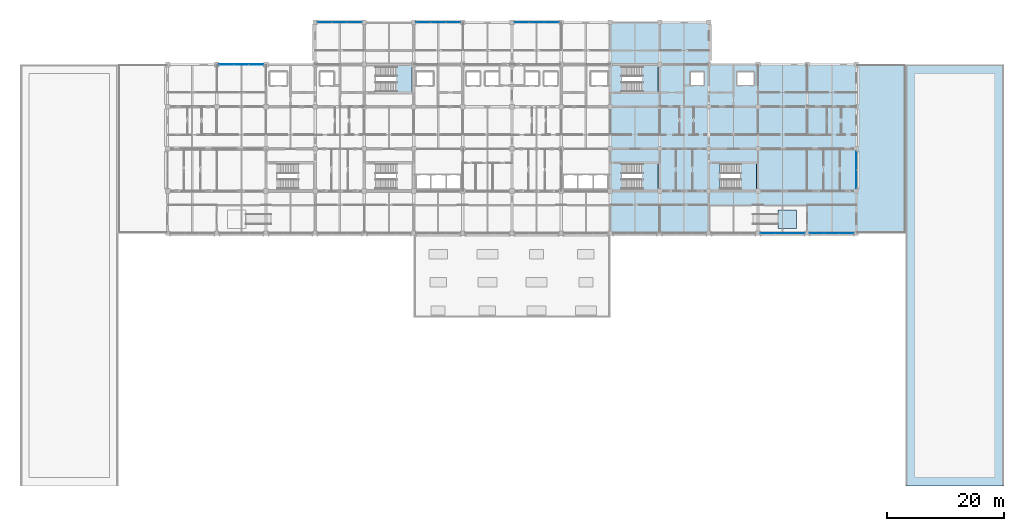
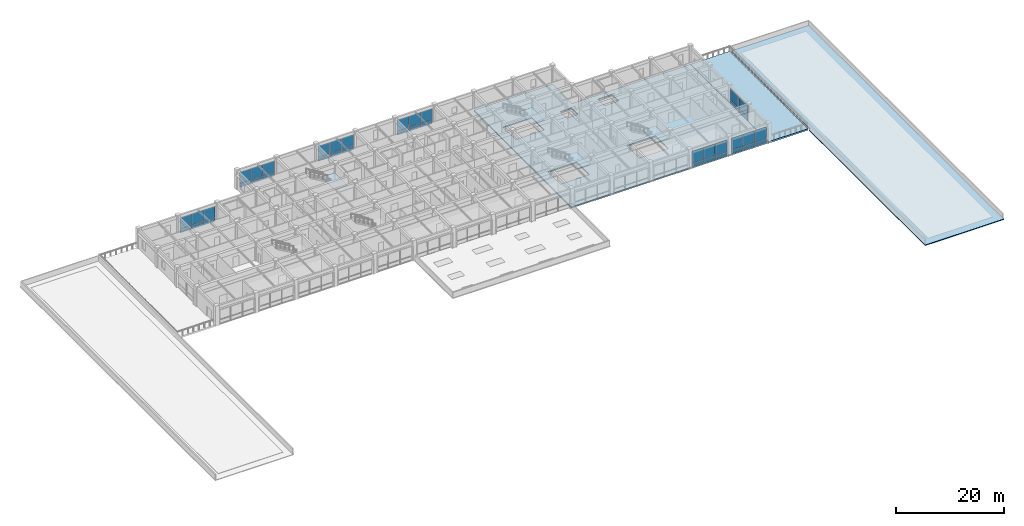
# One storey, part 16 of 40: 40 plates, 8 slabs, 11 elements without a shape of their own.
"""IFC4 building model written with IfcOpenShell, lengths in metres."""

from ifc_helpers import new_model, si_unit, direction, frame, origin, origin_2d, place, context, subcontext, project, spatial, polyline, rectangle, outline, extrude, material, layer, layer_set, type_object, element, aggregate, save


model = new_model("IFC4")

# Units and contexts
model_context = context("Model", 3, precision=1e-05, world=origin(), true_north=direction((0.0, 1.0)))
body_context = subcontext(model_context, "Body", "Model", "MODEL_VIEW")
ifc_project = project(units=[si_unit("LENGTHUNIT", "METRE"), si_unit("AREAUNIT", "SQUARE_METRE"), si_unit("VOLUMEUNIT", "CUBIC_METRE"), si_unit("PLANEANGLEUNIT", "RADIAN"), si_unit("MASSUNIT", "GRAM", prefix="KILO")], contexts=[model_context])

# Site, building, storey
site_placement = place(None, origin())
site = spatial("IfcSite", under=ifc_project, at=site_placement, CompositionType="ELEMENT")
building_placement = place(site_placement, origin())
building = spatial("IfcBuilding", under=site, at=building_placement, Name="Chengyuan Square Courthouse", CompositionType="ELEMENT")
storey_placement = place(building_placement, frame((0.0, 0.0, 21.60009765625)))
storey = spatial("IfcBuildingStorey", under=building, at=storey_placement, Name="L05", CompositionType="ELEMENT", Elevation=21.60009765625)

# Curtain wall, plates
ifc_material_1 = material(Name="Unitised Aluminium and Triple Low-E Glass", Category="aluminium")
ifc_layer_1 = layer(ifc_material_1, 0.159912109375)
ifc_layer_set_1 = layer_set([ifc_layer_1], Name="Unitised Aluminium and Triple Low-E Glass")
curtain_wall_type_1 = type_object("IfcCurtainWallType", Name="CW-13", PredefinedType="USERDEFINED", material=ifc_layer_set_1)
curtain_wall_1_placement = place(storey_placement, origin())
curtain_wall_1 = element("IfcCurtainWall", 1, at=curtain_wall_1_placement, inside=storey, type_object=curtain_wall_type_1, Name="Unitised Curtain Wall CW-L05-166", ObjectType="UNITISED CURTAIN WALL", PredefinedType="USERDEFINED")
ifc_material_2 = material(Name="Triple Low-E Insulating Glass", Category="glass")
ifc_layer_2 = layer(ifc_material_2, 0.02392578125)
ifc_layer_set_2 = layer_set([ifc_layer_2], Name="Triple Low-E Insulating Glass")
plate_type_1 = type_object("IfcPlateType", Name="CWP-01", PredefinedType="CURTAIN_PANEL", material=ifc_layer_set_2)
plate_1_placement = place(storey_placement, frame((35.28173828125, 108.0, 0.06005859375), z_axis=(0.0, 0.0, 1.0), x_axis=(1.0, 0.0, 0.0)))
plate_1 = element("IfcPlate", 2, at=plate_1_placement, type_object=plate_type_1, Name="CW-13 panel 1.1", PredefinedType="CURTAIN_PANEL", context=body_context, shape_type="SweptSolid", body=[
    extrude(rectangle(XDim=2.443359375, YDim=0.02392578125, at=origin_2d()), origin(), (0.0, 0.0, 1.0), 0.860107421875),
])
plate_2_placement = place(storey_placement, frame((35.28173828125, 108.0, 0.97998046875), z_axis=(0.0, 0.0, 1.0), x_axis=(1.0, 0.0, 0.0)))
plate_2 = element("IfcPlate", 3, at=plate_2_placement, type_object=plate_type_1, Name="CW-13 panel 1.2", PredefinedType="CURTAIN_PANEL", context=body_context, shape_type="SweptSolid", body=[
    extrude(rectangle(XDim=2.443359375, YDim=0.02392578125, at=origin_2d()), origin(), (0.0, 0.0, 1.0), 2.550048828125),
])
plate_3_placement = place(storey_placement, frame((37.800048828125, 108.0, 0.06005859375), z_axis=(0.0, 0.0, 1.0), x_axis=(1.0, 0.0, 0.0)))
plate_3 = element("IfcPlate", 4, at=plate_3_placement, type_object=plate_type_1, Name="CW-13 panel 2.1", PredefinedType="CURTAIN_PANEL", context=body_context, shape_type="SweptSolid", body=[
    extrude(rectangle(XDim=2.473388671875, YDim=0.02392578125, at=origin_2d()), origin(), (0.0, 0.0, 1.0), 0.860107421875),
])
plate_4_placement = place(storey_placement, frame((37.800048828125, 108.0, 0.97998046875), z_axis=(0.0, 0.0, 1.0), x_axis=(1.0, 0.0, 0.0)))
plate_4 = element("IfcPlate", 5, at=plate_4_placement, type_object=plate_type_1, Name="CW-13 panel 2.2", PredefinedType="CURTAIN_PANEL", context=body_context, shape_type="SweptSolid", body=[
    extrude(rectangle(XDim=2.473388671875, YDim=0.02392578125, at=origin_2d()), origin(), (0.0, 0.0, 1.0), 2.550048828125),
])
plate_5_placement = place(storey_placement, frame((40.318359375, 108.0, 0.06005859375), z_axis=(0.0, 0.0, 1.0), x_axis=(1.0, 0.0, 0.0)))
plate_5 = element("IfcPlate", 6, at=plate_5_placement, type_object=plate_type_1, Name="CW-13 panel 3.1", PredefinedType="CURTAIN_PANEL", context=body_context, shape_type="SweptSolid", body=[
    extrude(rectangle(XDim=2.443359375, YDim=0.02392578125, at=origin_2d()), origin(), (0.0, 0.0, 1.0), 0.860107421875),
])
plate_6_placement = place(storey_placement, frame((40.318359375, 108.0, 0.97998046875), z_axis=(0.0, 0.0, 1.0), x_axis=(1.0, 0.0, 0.0)))
plate_6 = element("IfcPlate", 7, at=plate_6_placement, type_object=plate_type_1, Name="CW-13 panel 3.2", PredefinedType="CURTAIN_PANEL", context=body_context, shape_type="SweptSolid", body=[
    extrude(rectangle(XDim=2.443359375, YDim=0.02392578125, at=origin_2d()), origin(), (0.0, 0.0, 1.0), 2.550048828125),
])
aggregate(curtain_wall_1, [plate_1, plate_2, plate_3, plate_4, plate_5, plate_6])

curtain_wall_2_placement = place(storey_placement, origin())
curtain_wall_2 = element("IfcCurtainWall", 8, at=curtain_wall_2_placement, inside=storey, type_object=curtain_wall_type_1, Name="Unitised Curtain Wall CW-L05-169", ObjectType="UNITISED CURTAIN WALL", PredefinedType="USERDEFINED")
plate_7_placement = place(storey_placement, frame((52.081787109375, 115.199951171875, 0.06005859375), z_axis=(0.0, 0.0, 1.0), x_axis=(1.0, 0.0, 0.0)))
plate_7 = element("IfcPlate", 9, at=plate_7_placement, type_object=plate_type_1, Name="CW-13 panel 1.1", PredefinedType="CURTAIN_PANEL", context=body_context, shape_type="SweptSolid", body=[
    extrude(rectangle(XDim=2.443359375, YDim=0.02392578125, at=origin_2d()), origin(), (0.0, 0.0, 1.0), 0.860107421875),
])
plate_8_placement = place(storey_placement, frame((52.081787109375, 115.199951171875, 0.97998046875), z_axis=(0.0, 0.0, 1.0), x_axis=(1.0, 0.0, 0.0)))
plate_8 = element("IfcPlate", 10, at=plate_8_placement, type_object=plate_type_1, Name="CW-13 panel 1.2", PredefinedType="CURTAIN_PANEL", context=body_context, shape_type="SweptSolid", body=[
    extrude(rectangle(XDim=2.443359375, YDim=0.02392578125, at=origin_2d()), origin(), (0.0, 0.0, 1.0), 2.550048828125),
])
plate_9_placement = place(storey_placement, frame((54.60009765625, 115.199951171875, 0.06005859375), z_axis=(0.0, 0.0, 1.0), x_axis=(1.0, 0.0, 0.0)))
plate_9 = element("IfcPlate", 11, at=plate_9_placement, type_object=plate_type_1, Name="CW-13 panel 2.1", PredefinedType="CURTAIN_PANEL", context=body_context, shape_type="SweptSolid", body=[
    extrude(rectangle(XDim=2.473388671875, YDim=0.02392578125, at=origin_2d()), origin(), (0.0, 0.0, 1.0), 0.860107421875),
])
plate_10_placement = place(storey_placement, frame((54.60009765625, 115.199951171875, 0.97998046875), z_axis=(0.0, 0.0, 1.0), x_axis=(1.0, 0.0, 0.0)))
plate_10 = element("IfcPlate", 12, at=plate_10_placement, type_object=plate_type_1, Name="CW-13 panel 2.2", PredefinedType="CURTAIN_PANEL", context=body_context, shape_type="SweptSolid", body=[
    extrude(rectangle(XDim=2.473388671875, YDim=0.02392578125, at=origin_2d()), origin(), (0.0, 0.0, 1.0), 2.550048828125),
])
plate_11_placement = place(storey_placement, frame((57.118408203125, 115.199951171875, 0.06005859375), z_axis=(0.0, 0.0, 1.0), x_axis=(1.0, 0.0, 0.0)))
plate_11 = element("IfcPlate", 13, at=plate_11_placement, type_object=plate_type_1, Name="CW-13 panel 3.1", PredefinedType="CURTAIN_PANEL", context=body_context, shape_type="SweptSolid", body=[
    extrude(rectangle(XDim=2.443359375, YDim=0.02392578125, at=origin_2d()), origin(), (0.0, 0.0, 1.0), 0.860107421875),
])
plate_12_placement = place(storey_placement, frame((57.118408203125, 115.199951171875, 0.97998046875), z_axis=(0.0, 0.0, 1.0), x_axis=(1.0, 0.0, 0.0)))
plate_12 = element("IfcPlate", 14, at=plate_12_placement, type_object=plate_type_1, Name="CW-13 panel 3.2", PredefinedType="CURTAIN_PANEL", context=body_context, shape_type="SweptSolid", body=[
    extrude(rectangle(XDim=2.443359375, YDim=0.02392578125, at=origin_2d()), origin(), (0.0, 0.0, 1.0), 2.550048828125),
])
aggregate(curtain_wall_2, [plate_7, plate_8, plate_9, plate_10, plate_11, plate_12])

curtain_wall_3_placement = place(storey_placement, origin())
curtain_wall_3 = element("IfcCurtainWall", 15, at=curtain_wall_3_placement, inside=storey, type_object=curtain_wall_type_1, Name="Unitised Curtain Wall CW-L05-172", ObjectType="UNITISED CURTAIN WALL", PredefinedType="USERDEFINED")
plate_13_placement = place(storey_placement, frame((68.881591796875, 115.199951171875, 0.06005859375), z_axis=(0.0, 0.0, 1.0), x_axis=(1.0, 0.0, 0.0)))
plate_13 = element("IfcPlate", 16, at=plate_13_placement, type_object=plate_type_1, Name="CW-13 panel 1.1", PredefinedType="CURTAIN_PANEL", context=body_context, shape_type="SweptSolid", body=[
    extrude(rectangle(XDim=2.443359375, YDim=0.02392578125, at=origin_2d()), origin(), (0.0, 0.0, 1.0), 0.860107421875),
])
plate_14_placement = place(storey_placement, frame((68.881591796875, 115.199951171875, 0.97998046875), z_axis=(0.0, 0.0, 1.0), x_axis=(1.0, 0.0, 0.0)))
plate_14 = element("IfcPlate", 17, at=plate_14_placement, type_object=plate_type_1, Name="CW-13 panel 1.2", PredefinedType="CURTAIN_PANEL", context=body_context, shape_type="SweptSolid", body=[
    extrude(rectangle(XDim=2.443359375, YDim=0.02392578125, at=origin_2d()), origin(), (0.0, 0.0, 1.0), 2.550048828125),
])
plate_15_placement = place(storey_placement, frame((71.39990234375, 115.199951171875, 0.06005859375), z_axis=(0.0, 0.0, 1.0), x_axis=(1.0, 0.0, 0.0)))
plate_15 = element("IfcPlate", 18, at=plate_15_placement, type_object=plate_type_1, Name="CW-13 panel 2.1", PredefinedType="CURTAIN_PANEL", context=body_context, shape_type="SweptSolid", body=[
    extrude(rectangle(XDim=2.473388671875, YDim=0.02392578125, at=origin_2d()), origin(), (0.0, 0.0, 1.0), 0.860107421875),
])
plate_16_placement = place(storey_placement, frame((71.39990234375, 115.199951171875, 0.97998046875), z_axis=(0.0, 0.0, 1.0), x_axis=(1.0, 0.0, 0.0)))
plate_16 = element("IfcPlate", 19, at=plate_16_placement, type_object=plate_type_1, Name="CW-13 panel 2.2", PredefinedType="CURTAIN_PANEL", context=body_context, shape_type="SweptSolid", body=[
    extrude(rectangle(XDim=2.473388671875, YDim=0.02392578125, at=origin_2d()), origin(), (0.0, 0.0, 1.0), 2.550048828125),
])
plate_17_placement = place(storey_placement, frame((73.918212890625, 115.199951171875, 0.06005859375), z_axis=(0.0, 0.0, 1.0), x_axis=(1.0, 0.0, 0.0)))
plate_17 = element("IfcPlate", 20, at=plate_17_placement, type_object=plate_type_1, Name="CW-13 panel 3.1", PredefinedType="CURTAIN_PANEL", context=body_context, shape_type="SweptSolid", body=[
    extrude(rectangle(XDim=2.443359375, YDim=0.02392578125, at=origin_2d()), origin(), (0.0, 0.0, 1.0), 0.860107421875),
])
plate_18_placement = place(storey_placement, frame((73.918212890625, 115.199951171875, 0.97998046875), z_axis=(0.0, 0.0, 1.0), x_axis=(1.0, 0.0, 0.0)))
plate_18 = element("IfcPlate", 21, at=plate_18_placement, type_object=plate_type_1, Name="CW-13 panel 3.2", PredefinedType="CURTAIN_PANEL", context=body_context, shape_type="SweptSolid", body=[
    extrude(rectangle(XDim=2.443359375, YDim=0.02392578125, at=origin_2d()), origin(), (0.0, 0.0, 1.0), 2.550048828125),
])
aggregate(curtain_wall_3, [plate_13, plate_14, plate_15, plate_16, plate_17, plate_18])

curtain_wall_4_placement = place(storey_placement, origin())
curtain_wall_4 = element("IfcCurtainWall", 22, at=curtain_wall_4_placement, inside=storey, type_object=curtain_wall_type_1, Name="Unitised Curtain Wall CW-L05-175", ObjectType="UNITISED CURTAIN WALL", PredefinedType="USERDEFINED")
plate_19_placement = place(storey_placement, frame((85.681640625, 115.199951171875, 0.06005859375), z_axis=(0.0, 0.0, 1.0), x_axis=(1.0, 0.0, 0.0)))
plate_19 = element("IfcPlate", 23, at=plate_19_placement, type_object=plate_type_1, Name="CW-13 panel 1.1", PredefinedType="CURTAIN_PANEL", context=body_context, shape_type="SweptSolid", body=[
    extrude(rectangle(XDim=2.443359375, YDim=0.02392578125, at=origin_2d()), origin(), (0.0, 0.0, 1.0), 0.860107421875),
])
plate_20_placement = place(storey_placement, frame((85.681640625, 115.199951171875, 0.97998046875), z_axis=(0.0, 0.0, 1.0), x_axis=(1.0, 0.0, 0.0)))
plate_20 = element("IfcPlate", 24, at=plate_20_placement, type_object=plate_type_1, Name="CW-13 panel 1.2", PredefinedType="CURTAIN_PANEL", context=body_context, shape_type="SweptSolid", body=[
    extrude(rectangle(XDim=2.443359375, YDim=0.02392578125, at=origin_2d()), origin(), (0.0, 0.0, 1.0), 2.550048828125),
])
plate_21_placement = place(storey_placement, frame((88.199951171875, 115.199951171875, 0.06005859375), z_axis=(0.0, 0.0, 1.0), x_axis=(1.0, 0.0, 0.0)))
plate_21 = element("IfcPlate", 25, at=plate_21_placement, type_object=plate_type_1, Name="CW-13 panel 2.1", PredefinedType="CURTAIN_PANEL", context=body_context, shape_type="SweptSolid", body=[
    extrude(rectangle(XDim=2.473388671875, YDim=0.02392578125, at=origin_2d()), origin(), (0.0, 0.0, 1.0), 0.860107421875),
])
plate_22_placement = place(storey_placement, frame((88.199951171875, 115.199951171875, 0.97998046875), z_axis=(0.0, 0.0, 1.0), x_axis=(1.0, 0.0, 0.0)))
plate_22 = element("IfcPlate", 26, at=plate_22_placement, type_object=plate_type_1, Name="CW-13 panel 2.2", PredefinedType="CURTAIN_PANEL", context=body_context, shape_type="SweptSolid", body=[
    extrude(rectangle(XDim=2.473388671875, YDim=0.02392578125, at=origin_2d()), origin(), (0.0, 0.0, 1.0), 2.550048828125),
])
plate_23_placement = place(storey_placement, frame((90.71826171875, 115.199951171875, 0.06005859375), z_axis=(0.0, 0.0, 1.0), x_axis=(1.0, 0.0, 0.0)))
plate_23 = element("IfcPlate", 27, at=plate_23_placement, type_object=plate_type_1, Name="CW-13 panel 3.1", PredefinedType="CURTAIN_PANEL", context=body_context, shape_type="SweptSolid", body=[
    extrude(rectangle(XDim=2.443359375, YDim=0.02392578125, at=origin_2d()), origin(), (0.0, 0.0, 1.0), 0.860107421875),
])
plate_24_placement = place(storey_placement, frame((90.71826171875, 115.199951171875, 0.97998046875), z_axis=(0.0, 0.0, 1.0), x_axis=(1.0, 0.0, 0.0)))
plate_24 = element("IfcPlate", 28, at=plate_24_placement, type_object=plate_type_1, Name="CW-13 panel 3.2", PredefinedType="CURTAIN_PANEL", context=body_context, shape_type="SweptSolid", body=[
    extrude(rectangle(XDim=2.443359375, YDim=0.02392578125, at=origin_2d()), origin(), (0.0, 0.0, 1.0), 2.550048828125),
])
aggregate(curtain_wall_4, [plate_19, plate_20, plate_21, plate_22, plate_23, plate_24])

curtain_wall_5_placement = place(storey_placement, origin())
curtain_wall_5 = element("IfcCurtainWall", 29, at=curtain_wall_5_placement, inside=storey, type_object=curtain_wall_type_1, Name="Unitised Curtain Wall CW-L05-180", ObjectType="UNITISED CURTAIN WALL", PredefinedType="USERDEFINED")
plate_25_placement = place(storey_placement, frame((127.681640625, 79.199951171875, 0.06005859375), z_axis=(0.0, 0.0, 1.0), x_axis=(1.0, 0.0, 0.0)))
plate_25 = element("IfcPlate", 30, at=plate_25_placement, type_object=plate_type_1, Name="CW-13 panel 1.1", PredefinedType="CURTAIN_PANEL", context=body_context, shape_type="SweptSolid", body=[
    extrude(rectangle(XDim=2.443359375, YDim=0.02392578125, at=origin_2d()), origin(), (0.0, 0.0, 1.0), 0.860107421875),
])
plate_26_placement = place(storey_placement, frame((127.681640625, 79.199951171875, 0.97998046875), z_axis=(0.0, 0.0, 1.0), x_axis=(1.0, 0.0, 0.0)))
plate_26 = element("IfcPlate", 31, at=plate_26_placement, type_object=plate_type_1, Name="CW-13 panel 1.2", PredefinedType="CURTAIN_PANEL", context=body_context, shape_type="SweptSolid", body=[
    extrude(rectangle(XDim=2.443359375, YDim=0.02392578125, at=origin_2d()), origin(), (0.0, 0.0, 1.0), 2.550048828125),
])
plate_27_placement = place(storey_placement, frame((130.199951171875, 79.199951171875, 0.06005859375), z_axis=(0.0, 0.0, 1.0), x_axis=(1.0, 0.0, 0.0)))
plate_27 = element("IfcPlate", 32, at=plate_27_placement, type_object=plate_type_1, Name="CW-13 panel 2.1", PredefinedType="CURTAIN_PANEL", context=body_context, shape_type="SweptSolid", body=[
    extrude(rectangle(XDim=2.473388671875, YDim=0.02392578125, at=origin_2d()), origin(), (0.0, 0.0, 1.0), 0.860107421875),
])
plate_28_placement = place(storey_placement, frame((130.199951171875, 79.199951171875, 0.97998046875), z_axis=(0.0, 0.0, 1.0), x_axis=(1.0, 0.0, 0.0)))
plate_28 = element("IfcPlate", 33, at=plate_28_placement, type_object=plate_type_1, Name="CW-13 panel 2.2", PredefinedType="CURTAIN_PANEL", context=body_context, shape_type="SweptSolid", body=[
    extrude(rectangle(XDim=2.473388671875, YDim=0.02392578125, at=origin_2d()), origin(), (0.0, 0.0, 1.0), 2.550048828125),
])
plate_29_placement = place(storey_placement, frame((132.71826171875, 79.199951171875, 0.06005859375), z_axis=(0.0, 0.0, 1.0), x_axis=(1.0, 0.0, 0.0)))
plate_29 = element("IfcPlate", 34, at=plate_29_placement, type_object=plate_type_1, Name="CW-13 panel 3.1", PredefinedType="CURTAIN_PANEL", context=body_context, shape_type="SweptSolid", body=[
    extrude(rectangle(XDim=2.443359375, YDim=0.02392578125, at=origin_2d()), origin(), (0.0, 0.0, 1.0), 0.860107421875),
])
plate_30_placement = place(storey_placement, frame((132.71826171875, 79.199951171875, 0.97998046875), z_axis=(0.0, 0.0, 1.0), x_axis=(1.0, 0.0, 0.0)))
plate_30 = element("IfcPlate", 35, at=plate_30_placement, type_object=plate_type_1, Name="CW-13 panel 3.2", PredefinedType="CURTAIN_PANEL", context=body_context, shape_type="SweptSolid", body=[
    extrude(rectangle(XDim=2.443359375, YDim=0.02392578125, at=origin_2d()), origin(), (0.0, 0.0, 1.0), 2.550048828125),
])
aggregate(curtain_wall_5, [plate_25, plate_26, plate_27, plate_28, plate_29, plate_30])

curtain_wall_6_placement = place(storey_placement, origin())
curtain_wall_6 = element("IfcCurtainWall", 36, at=curtain_wall_6_placement, inside=storey, type_object=curtain_wall_type_1, Name="Unitised Curtain Wall CW-L05-181", ObjectType="UNITISED CURTAIN WALL", PredefinedType="USERDEFINED")
plate_31_placement = place(storey_placement, frame((136.081787109375, 79.199951171875, 0.06005859375), z_axis=(0.0, 0.0, 1.0), x_axis=(1.0, 0.0, 0.0)))
plate_31 = element("IfcPlate", 37, at=plate_31_placement, type_object=plate_type_1, Name="CW-13 panel 1.1", PredefinedType="CURTAIN_PANEL", context=body_context, shape_type="SweptSolid", body=[
    extrude(rectangle(XDim=2.443359375, YDim=0.02392578125, at=origin_2d()), origin(), (0.0, 0.0, 1.0), 0.860107421875),
])
plate_32_placement = place(storey_placement, frame((136.081787109375, 79.199951171875, 0.97998046875), z_axis=(0.0, 0.0, 1.0), x_axis=(1.0, 0.0, 0.0)))
plate_32 = element("IfcPlate", 38, at=plate_32_placement, type_object=plate_type_1, Name="CW-13 panel 1.2", PredefinedType="CURTAIN_PANEL", context=body_context, shape_type="SweptSolid", body=[
    extrude(rectangle(XDim=2.443359375, YDim=0.02392578125, at=origin_2d()), origin(), (0.0, 0.0, 1.0), 2.550048828125),
])
plate_33_placement = place(storey_placement, frame((138.60009765625, 79.199951171875, 0.06005859375), z_axis=(0.0, 0.0, 1.0), x_axis=(1.0, 0.0, 0.0)))
plate_33 = element("IfcPlate", 39, at=plate_33_placement, type_object=plate_type_1, Name="CW-13 panel 2.1", PredefinedType="CURTAIN_PANEL", context=body_context, shape_type="SweptSolid", body=[
    extrude(rectangle(XDim=2.473388671875, YDim=0.02392578125, at=origin_2d()), origin(), (0.0, 0.0, 1.0), 0.860107421875),
])
plate_34_placement = place(storey_placement, frame((138.60009765625, 79.199951171875, 0.97998046875), z_axis=(0.0, 0.0, 1.0), x_axis=(1.0, 0.0, 0.0)))
plate_34 = element("IfcPlate", 40, at=plate_34_placement, type_object=plate_type_1, Name="CW-13 panel 2.2", PredefinedType="CURTAIN_PANEL", context=body_context, shape_type="SweptSolid", body=[
    extrude(rectangle(XDim=2.473388671875, YDim=0.02392578125, at=origin_2d()), origin(), (0.0, 0.0, 1.0), 2.550048828125),
])
plate_35_placement = place(storey_placement, frame((141.118408203125, 79.199951171875, 0.06005859375), z_axis=(0.0, 0.0, 1.0), x_axis=(1.0, 0.0, 0.0)))
plate_35 = element("IfcPlate", 41, at=plate_35_placement, type_object=plate_type_1, Name="CW-13 panel 3.1", PredefinedType="CURTAIN_PANEL", context=body_context, shape_type="SweptSolid", body=[
    extrude(rectangle(XDim=2.443359375, YDim=0.02392578125, at=origin_2d()), origin(), (0.0, 0.0, 1.0), 0.860107421875),
])
plate_36_placement = place(storey_placement, frame((141.118408203125, 79.199951171875, 0.97998046875), z_axis=(0.0, 0.0, 1.0), x_axis=(1.0, 0.0, 0.0)))
plate_36 = element("IfcPlate", 42, at=plate_36_placement, type_object=plate_type_1, Name="CW-13 panel 3.2", PredefinedType="CURTAIN_PANEL", context=body_context, shape_type="SweptSolid", body=[
    extrude(rectangle(XDim=2.443359375, YDim=0.02392578125, at=origin_2d()), origin(), (0.0, 0.0, 1.0), 2.550048828125),
])
aggregate(curtain_wall_6, [plate_31, plate_32, plate_33, plate_34, plate_35, plate_36])

ifc_layer_3 = layer(ifc_material_1, 0.179931640625)
ifc_layer_set_3 = layer_set([ifc_layer_3], Name="Unitised Aluminium and Triple Low-E Glass")
curtain_wall_type_2 = type_object("IfcCurtainWallType", Name="CW-02", PredefinedType="USERDEFINED", material=ifc_layer_set_3)
curtain_wall_7_placement = place(storey_placement, origin())
curtain_wall_7 = element("IfcCurtainWall", 43, at=curtain_wall_7_placement, inside=storey, type_object=curtain_wall_type_2, Name="Unitised Curtain Wall CW-L05-182", ObjectType="UNITISED CURTAIN WALL", PredefinedType="USERDEFINED")
ifc_layer_4 = layer(ifc_material_2, 0.031982421875)
ifc_layer_set_4 = layer_set([ifc_layer_4], Name="Triple Low-E Insulating Glass")
plate_type_2 = type_object("IfcPlateType", Name="CWP-02", PredefinedType="CURTAIN_PANEL", material=ifc_layer_set_4)
plate_37_placement = place(storey_placement, frame((142.800048828125, 88.416259765625, 0.06494140625), z_axis=(0.0, 0.0, 1.0), x_axis=(0.0, 1.0, 0.0)))
plate_37 = element("IfcPlate", 44, at=plate_37_placement, type_object=plate_type_2, Name="CW-02 panel 1.1", PredefinedType="CURTAIN_PANEL", context=body_context, shape_type="SweptSolid", body=[
    extrude(rectangle(XDim=3.1025390625, YDim=0.031982421875, at=origin_2d()), origin(), (0.0, 0.0, 1.0), 0.8525390625),
])
plate_38_placement = place(storey_placement, frame((142.800048828125, 88.416259765625, 0.982421875), z_axis=(0.0, 0.0, 1.0), x_axis=(0.0, 1.0, 0.0)))
plate_38 = element("IfcPlate", 45, at=plate_38_placement, type_object=plate_type_2, Name="CW-02 panel 1.2", PredefinedType="CURTAIN_PANEL", context=body_context, shape_type="SweptSolid", body=[
    extrude(rectangle(XDim=3.1025390625, YDim=0.031982421875, at=origin_2d()), origin(), (0.0, 0.0, 1.0), 2.54248046875),
])
plate_39_placement = place(storey_placement, frame((142.800048828125, 91.583740234375, 0.06494140625), z_axis=(0.0, 0.0, 1.0), x_axis=(0.0, 1.0, 0.0)))
plate_39 = element("IfcPlate", 46, at=plate_39_placement, type_object=plate_type_2, Name="CW-02 panel 2.1", PredefinedType="CURTAIN_PANEL", context=body_context, shape_type="SweptSolid", body=[
    extrude(rectangle(XDim=3.1025390625, YDim=0.031982421875, at=origin_2d()), origin(), (0.0, 0.0, 1.0), 0.8525390625),
])
plate_40_placement = place(storey_placement, frame((142.800048828125, 91.583740234375, 0.982421875), z_axis=(0.0, 0.0, 1.0), x_axis=(0.0, 1.0, 0.0)))
plate_40 = element("IfcPlate", 47, at=plate_40_placement, type_object=plate_type_2, Name="CW-02 panel 2.2", PredefinedType="CURTAIN_PANEL", context=body_context, shape_type="SweptSolid", body=[
    extrude(rectangle(XDim=3.1025390625, YDim=0.031982421875, at=origin_2d()), origin(), (0.0, 0.0, 1.0), 2.54248046875),
])
aggregate(curtain_wall_7, [plate_37, plate_38, plate_39, plate_40])

# Slab
ifc_material_3 = material(Name="Concrete C40", Category="concrete")
ifc_layer_5 = layer(ifc_material_3, 0.27001953125)
ifc_layer_set_5 = layer_set([ifc_layer_5], Name="Concrete C40")
slab_type_1 = type_object("IfcSlabType", Name="SL-DAIS", PredefinedType="FLOOR", material=ifc_layer_set_5)
slab_1_placement = place(storey_placement, origin())
element("IfcSlab", 48, at=slab_1_placement, inside=storey, type_object=slab_type_1, Name="Courtroom Accessible Judicial Dais 4", PredefinedType="FLOOR", context=body_context, shape_type="SweptSolid", body=[
    extrude(outline(polyline([(129.39990234375, 80.0), (132.60009765625, 80.0), (132.60009765625, 83.199951171875), (129.39990234375, 83.199951171875), (129.39990234375, 80.0)])), origin(), (0.0, 0.0, 1.0), 0.27001953125),
])

# Stair, slab
stair_type_1 = type_object("IfcStairType", Name="ST-TYPE-01", PredefinedType="HALF_TURN_STAIR", material=ifc_material_3)
stair_1_placement = place(storey_placement, origin())
stair_1 = element("IfcStair", 49, at=stair_1_placement, inside=storey, type_object=stair_type_1, Name="Smoke-Proof Exit Stair ST-1 (L05 to L06)", PredefinedType="HALF_TURN_STAIR")
ifc_layer_6 = layer(ifc_material_3, 0.179931640625)
ifc_layer_set_6 = layer_set([ifc_layer_6], Name="Concrete C40")
slab_type_2 = type_object("IfcSlabType", Name="SL-LND2", PredefinedType="LANDING", material=ifc_layer_set_6)
slab_2_placement = place(storey_placement, frame((0.0, 0.0, 2.06982421875)))
slab_2 = element("IfcSlab", 50, at=slab_2_placement, type_object=slab_type_2, Name="ST-1 landing 1", PredefinedType="LANDING", context=body_context, shape_type="SweptSolid", body=[
    extrude(outline(polyline([(64.169921875, 103.159912109375), (66.93994140625, 103.159912109375), (66.93994140625, 107.840087890625), (64.169921875, 107.840087890625), (64.169921875, 103.159912109375)])), origin(), (0.0, 0.0, 1.0), 0.18017578125),
])
aggregate(stair_1, [slab_2])

stair_type_2 = type_object("IfcStairType", Name="ST-TYPE-02", PredefinedType="HALF_TURN_STAIR", material=ifc_material_3)
stair_2_placement = place(storey_placement, origin())
stair_2 = element("IfcStair", 51, at=stair_2_placement, inside=storey, type_object=stair_type_2, Name="Smoke-Proof Exit Stair ST-2 (L05 to L06)", PredefinedType="HALF_TURN_STAIR")
slab_3_placement = place(storey_placement, frame((0.0, 0.0, 2.06982421875)))
slab_3 = element("IfcSlab", 52, at=slab_3_placement, type_object=slab_type_2, Name="ST-2 landing 1", PredefinedType="LANDING", context=body_context, shape_type="SweptSolid", body=[
    extrude(outline(polyline([(106.169921875, 103.159912109375), (108.93994140625, 103.159912109375), (108.93994140625, 107.840087890625), (106.169921875, 107.840087890625), (106.169921875, 103.159912109375)])), origin(), (0.0, 0.0, 1.0), 0.18017578125),
])
aggregate(stair_2, [slab_3])

stair_type_3 = type_object("IfcStairType", Name="ST-TYPE-04", PredefinedType="HALF_TURN_STAIR", material=ifc_material_3)
stair_3_placement = place(storey_placement, origin())
stair_3 = element("IfcStair", 53, at=stair_3_placement, inside=storey, type_object=stair_type_3, Name="Smoke-Proof Exit Stair ST-4 (L05 to L06)", PredefinedType="HALF_TURN_STAIR")
slab_4_placement = place(storey_placement, frame((0.0, 0.0, 2.06982421875)))
slab_4 = element("IfcSlab", 54, at=slab_4_placement, type_object=slab_type_2, Name="ST-4 landing 1", PredefinedType="LANDING", context=body_context, shape_type="SweptSolid", body=[
    extrude(outline(polyline([(106.169921875, 86.56005859375), (108.93994140625, 86.56005859375), (108.93994140625, 91.239990234375), (106.169921875, 91.239990234375), (106.169921875, 86.56005859375)])), origin(), (0.0, 0.0, 1.0), 0.18017578125),
])
aggregate(stair_3, [slab_4])

stair_type_4 = type_object("IfcStairType", Name="ST-TYPE-06", PredefinedType="HALF_TURN_STAIR", material=ifc_material_3)
stair_4_placement = place(storey_placement, origin())
stair_4 = element("IfcStair", 55, at=stair_4_placement, inside=storey, type_object=stair_type_4, Name="Smoke-Proof Exit Stair ST-6 (L05 to L06)", PredefinedType="HALF_TURN_STAIR")
slab_5_placement = place(storey_placement, frame((0.0, 0.0, 2.06982421875)))
slab_5 = element("IfcSlab", 56, at=slab_5_placement, type_object=slab_type_2, Name="ST-6 landing 1", PredefinedType="LANDING", context=body_context, shape_type="SweptSolid", body=[
    extrude(outline(polyline([(122.969970703125, 86.56005859375), (125.739990234375, 86.56005859375), (125.739990234375, 91.239990234375), (122.969970703125, 91.239990234375), (122.969970703125, 86.56005859375)])), origin(), (0.0, 0.0, 1.0), 0.18017578125),
])
aggregate(stair_4, [slab_5])

# Slabs
ifc_layer_7 = layer(ifc_material_3, 0.199951171875)
ifc_layer_set_7 = layer_set([ifc_layer_7], Name="Concrete C40")
slab_type_3 = type_object("IfcSlabType", Name="SL-MRF", PredefinedType="ROOF", material=ifc_layer_set_7)
slab_6_placement = place(storey_placement, frame((0.0, 0.0, -0.2001953125)))
element("IfcSlab", 57, at=slab_6_placement, inside=storey, type_object=slab_type_3, Name="Maintenance Roof Slab SL-MRF-L05-2", PredefinedType="ROOF", context=body_context, shape_type="SweptSolid", body=[
    extrude(outline(polyline([(151.199951171875, 57.60009765625), (151.199951171875, 64.800048828125), (151.199951171875, 72.0), (151.199951171875, 78.919921875), (151.47998046875, 78.919921875), (151.47998046875, 108.0), (159.60009765625, 108.0), (168.0, 108.0), (168.0, 100.800048828125), (168.0, 93.60009765625), (168.0, 86.39990234375), (168.0, 79.199951171875), (168.0, 72.0), (168.0, 64.800048828125), (168.0, 57.60009765625), (168.0, 50.39990234375), (168.0, 43.199951171875), (168.0, 36.0), (159.60009765625, 36.0), (151.199951171875, 36.0), (151.199951171875, 43.199951171875), (151.199951171875, 50.39990234375), (151.199951171875, 57.60009765625)])), origin(), (0.0, 0.0, 1.0), 0.2001953125),
])
ifc_material_4 = material(Name="Post-tensioned Concrete C50", Category="concrete")
ifc_layer_8 = layer(ifc_material_4, 0.280029296875)
ifc_layer_set_8 = layer_set([ifc_layer_8], Name="Post-tensioned Concrete C50")
slab_type_4 = type_object("IfcSlabType", Name="SL-PT28", PredefinedType="FLOOR", material=ifc_layer_set_8)
slab_7_placement = place(storey_placement, frame((0.0, 0.0, -0.280029296875)))
element("IfcSlab", 58, at=slab_7_placement, inside=storey, type_object=slab_type_4, Name="Suspended Floor Slab SL-L05-04", PredefinedType="FLOOR", context=body_context, shape_type="SweptSolid", body=[
    extrude(outline(polyline([(109.199951171875, 115.199951171875), (117.60009765625, 115.199951171875), (117.60009765625, 108.0), (126.0, 108.0), (134.39990234375, 108.0), (142.800048828125, 108.0), (142.800048828125, 100.800048828125), (142.800048828125, 93.60009765625), (142.800048828125, 86.39990234375), (142.800048828125, 79.199951171875), (134.39990234375, 79.199951171875), (126.0, 79.199951171875), (117.60009765625, 79.199951171875), (109.199951171875, 79.199951171875), (100.800048828125, 79.199951171875), (100.800048828125, 115.199951171875), (109.199951171875, 115.199951171875)]), holes=[polyline([(108.89990234375, 91.199951171875), (102.75, 91.199951171875), (102.75, 86.60009765625), (108.89990234375, 86.60009765625), (108.89990234375, 91.199951171875)]), polyline([(125.699951171875, 91.199951171875), (119.550048828125, 91.199951171875), (119.550048828125, 86.60009765625), (125.699951171875, 86.60009765625), (125.699951171875, 91.199951171875)]), polyline([(102.75, 107.800048828125), (102.75, 103.199951171875), (108.89990234375, 103.199951171875), (108.89990234375, 107.800048828125), (102.75, 107.800048828125)]), polyline([(116.800048828125, 106.800048828125), (114.39990234375, 106.800048828125), (114.39990234375, 104.39990234375), (116.800048828125, 104.39990234375), (116.800048828125, 106.800048828125)]), polyline([(125.39990234375, 106.800048828125), (122.39990234375, 106.800048828125), (122.39990234375, 104.39990234375), (125.39990234375, 104.39990234375), (125.39990234375, 106.800048828125)])]), origin(), (0.0, 0.0, 1.0), 0.280029296875),
])
ifc_layer_9 = layer(ifc_material_3, 0.35009765625)
ifc_layer_set_9 = layer_set([ifc_layer_9], Name="Concrete C40")
slab_type_5 = type_object("IfcSlabType", Name="SL-TER", PredefinedType="ROOF", material=ifc_layer_set_9)
slab_8_placement = place(storey_placement, frame((0.0, 0.0, -0.35009765625)))
element("IfcSlab", 59, at=slab_8_placement, inside=storey, type_object=slab_type_5, Name="East Podium Planted Timber Terrace", PredefinedType="ROOF", context=body_context, shape_type="SweptSolid", body=[
    extrude(outline(polyline([(142.800048828125, 79.199951171875), (142.800048828125, 86.39990234375), (142.800048828125, 93.60009765625), (142.800048828125, 100.800048828125), (142.800048828125, 108.0), (151.199951171875, 108.0), (151.199951171875, 100.800048828125), (151.199951171875, 93.60009765625), (151.199951171875, 86.39990234375), (151.199951171875, 79.199951171875), (142.800048828125, 79.199951171875)])), origin(), (0.0, 0.0, 1.0), 0.35009765625),
])

save(model, "model.ifc")
